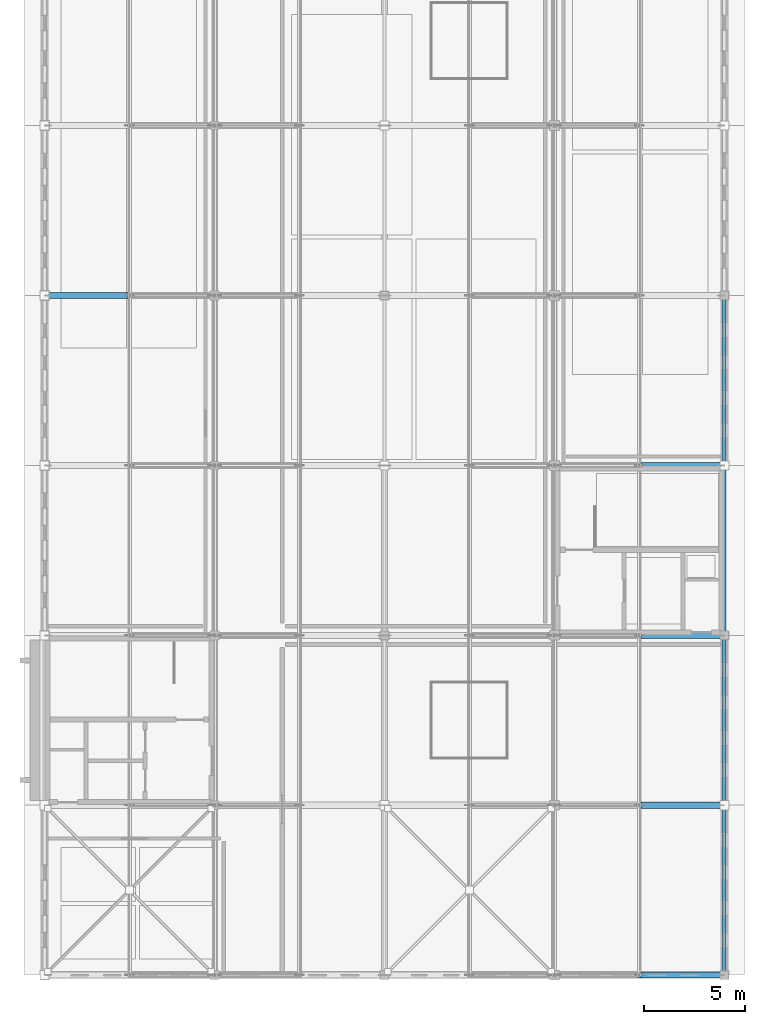
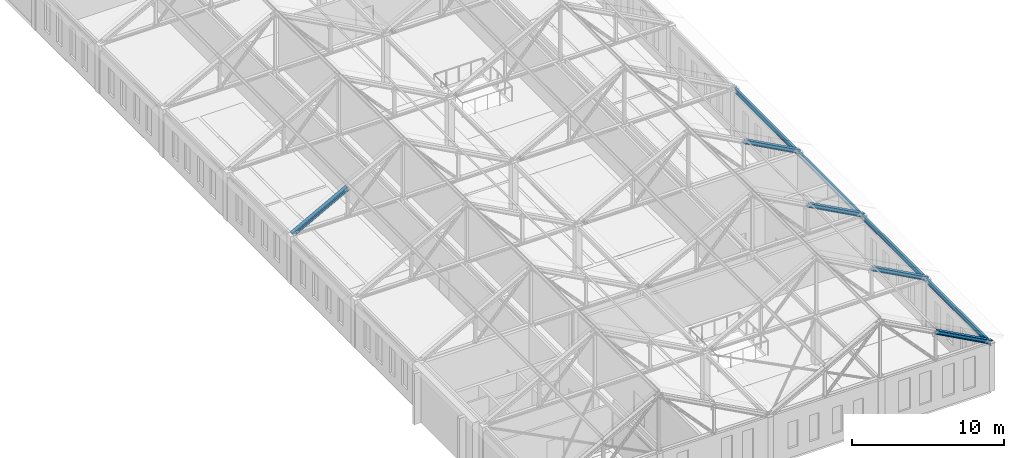
# One storey, part 6 of 36: 5 members, 4 beams.
"""IFC4 building model written with IfcOpenShell, lengths in metres."""

from ifc_helpers import new_model, si_unit, direction, frame, origin, origin_2d, place, context, subcontext, project, spatial, i_section, extrude, material, material_profile, profile_set, type_object, element, save


model = new_model("IFC4")

# Units and contexts
model_context = context("Model", 3, precision=1e-05, world=origin(), true_north=direction((0.0, 1.0)))
body_context = subcontext(model_context, "Body", "Model", "MODEL_VIEW")
ifc_project = project(units=[si_unit("LENGTHUNIT", "METRE"), si_unit("AREAUNIT", "SQUARE_METRE"), si_unit("VOLUMEUNIT", "CUBIC_METRE"), si_unit("PLANEANGLEUNIT", "RADIAN"), si_unit("MASSUNIT", "GRAM", prefix="KILO")], contexts=[model_context])

# Site, building, storey
site_placement = place(None, origin())
site = spatial("IfcSite", under=ifc_project, at=site_placement, CompositionType="ELEMENT")
building_placement = place(site_placement, origin())
building = spatial("IfcBuilding", under=site, at=building_placement, Name="Kveldsbrygga Polytechnic", CompositionType="ELEMENT")
storey_placement = place(building_placement, frame((0.0, 0.0, 26.179931640625)))
storey = spatial("IfcBuildingStorey", under=building, at=storey_placement, Name="L06", CompositionType="ELEMENT", Elevation=26.179931640625)

# Beams
ifc_material = material(Name="Steel S355", Category="steel")
ifc_material_profile_1 = material_profile(ifc_material, i_section(OverallWidth=0.169921875, OverallDepth=0.360107421875, WebThickness=0.008056640625, FlangeThickness=0.0126953125, FilletRadius=0.01806640625, at=origin_2d()), Name="IPE 360")
ifc_profile_set_1 = profile_set([ifc_material_profile_1], Name="Steel S355")
beam_type = type_object("IfcBeamType", Name="BM-STL-IPE360", PredefinedType="BEAM", material=ifc_profile_set_1)
beam_1_placement = place(storey_placement, frame((159.60009765625, 16.800048828125, 3.66015625), z_axis=(0.0, 1.0, 0.0), x_axis=(-1.0, 0.0, 0.0)))
element("IfcBeam", 1, at=beam_1_placement, inside=storey, type_object=beam_type, Name="Attic Eaves Tie Beam BMY-L06-TOP-19-02", PredefinedType="BEAM", context=body_context, shape_type="SweptSolid", body=[
    extrude(i_section(OverallWidth=0.169921875, OverallDepth=0.360107421875, WebThickness=0.008056640625, FlangeThickness=0.0126953125, FilletRadius=0.01806640625, at=origin_2d()), origin(), (0.0, 0.0, 1.0), 8.39990234375),
])
beam_2_placement = place(storey_placement, frame((159.60009765625, 25.199951171875, 3.66015625), z_axis=(0.0, 1.0, 0.0), x_axis=(-1.0, 0.0, 0.0)))
element("IfcBeam", 2, at=beam_2_placement, inside=storey, type_object=beam_type, Name="Attic Eaves Tie Beam BMY-L06-TOP-19-03", PredefinedType="BEAM", context=body_context, shape_type="SweptSolid", body=[
    extrude(i_section(OverallWidth=0.169921875, OverallDepth=0.360107421875, WebThickness=0.008056640625, FlangeThickness=0.0126953125, FilletRadius=0.01806640625, at=origin_2d()), origin(), (0.0, 0.0, 1.0), 8.400146484375),
])
for number, where, z_axis, x_axis, name in (
    (3, (159.60009765625, 33.60009765625, 3.66015625), (0.0, 1.0, 0.0), (-1.0, 0.0, 0.0), "Attic Eaves Tie Beam BMY-L06-TOP-19-04"),
    (4, (159.60009765625, 42.0, 3.66015625), (0.0, 1.0, 0.0), (-1.0, 0.0, 0.0), "Attic Eaves Tie Beam BMY-L06-TOP-19-05"),
):
    element("IfcBeam", number, at=place(storey_placement, frame(where, z_axis=z_axis, x_axis=x_axis)), inside=storey, type_object=beam_type, Name=name, PredefinedType="BEAM", context=body_context, shape_type="SweptSolid", body=[
        extrude(i_section(OverallWidth=0.169921875, OverallDepth=0.360107421875, WebThickness=0.008056640625, FlangeThickness=0.0126953125, FilletRadius=0.01806640625, at=origin_2d()), origin(), (0.0, 0.0, 1.0), 8.39990234375),
    ])

# Members
ifc_material_profile_2 = material_profile(ifc_material, i_section(OverallWidth=0.300048828125, OverallDepth=0.2900390625, WebThickness=0.008544921875, FlangeThickness=0.013916015625, FilletRadius=0.027099609375, at=origin_2d()), Name="HEA 300")
ifc_profile_set_2 = profile_set([ifc_material_profile_2], Name="Steel S355")
member_type = type_object("IfcMemberType", Name="TR-TOP-HEA300", PredefinedType="CHORD", material=ifc_profile_set_2)
member_placement = place(storey_placement, frame((126.0, 50.39990234375, 3.840087890625), z_axis=(0.879298209803, 0.0, 0.47627162233), x_axis=(0.0, 1.0, 0.0)))
element("IfcMember", 5, at=member_placement, inside=storey, type_object=member_type, Name="Truss Top Chord V4M1-T05-TC-1", PredefinedType="CHORD", context=body_context, shape_type="SweptSolid", body=[
    extrude(i_section(OverallWidth=0.300048828125, OverallDepth=0.2900390625, WebThickness=0.008544921875, FlangeThickness=0.013916015625, FilletRadius=0.027099609375, at=origin_2d()), origin(), (0.0, 0.0, 1.0), 4.7763671875),
])
for number, where, z_axis, x_axis, name in (
    (6, (155.39990234375, 16.800048828125, 6.114990234375), (0.879309803238, 0.0, -0.476250217773), (0.0, 1.0, 0.0), "Truss Top Chord V4M2-T01-TC-4"),
    (7, (155.39990234375, 25.199951171875, 6.114990234375), (0.879309803238, 0.0, -0.476250217773), (0.0, 1.0, 0.0), "Truss Top Chord V4M2-T02-TC-4"),
    (8, (155.39990234375, 33.60009765625, 6.114990234375), (0.879309803238, 0.0, -0.476250217773), (0.0, 1.0, 0.0), "Truss Top Chord V4M2-T03-TC-4"),
    (9, (155.39990234375, 42.0, 6.114990234375), (0.879309803238, 0.0, -0.476250217773), (0.0, 1.0, 0.0), "Truss Top Chord V4M2-T04-TC-4"),
):
    element("IfcMember", number, at=place(storey_placement, frame(where, z_axis=z_axis, x_axis=x_axis)), inside=storey, type_object=member_type, Name=name, PredefinedType="CHORD", context=body_context, shape_type="SweptSolid", body=[
        extrude(i_section(OverallWidth=0.300048828125, OverallDepth=0.2900390625, WebThickness=0.008544921875, FlangeThickness=0.013916015625, FilletRadius=0.027099609375, at=origin_2d()), origin(), (0.0, 0.0, 1.0), 4.776611328125),
    ])

save(model, "model.ifc")
